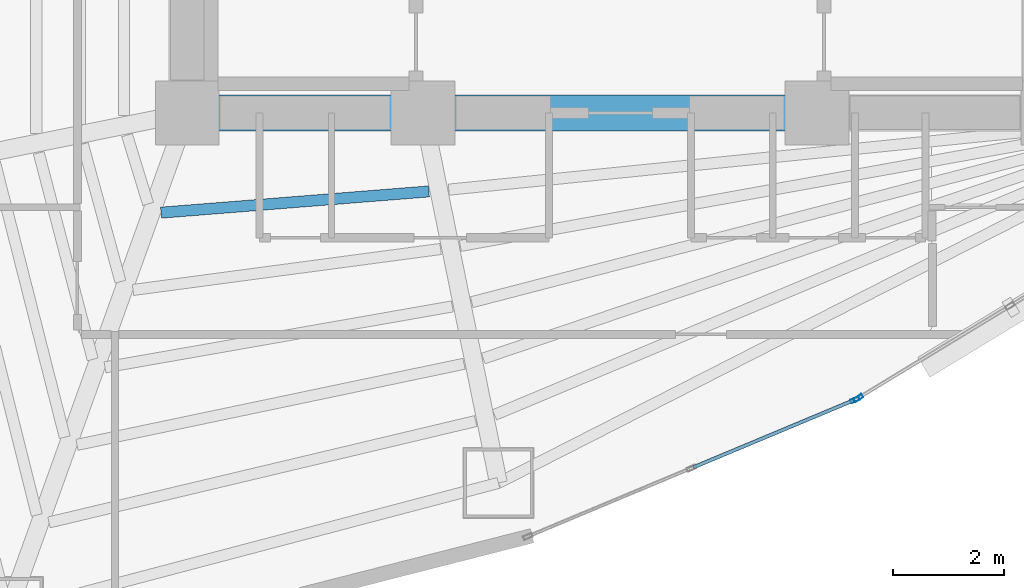
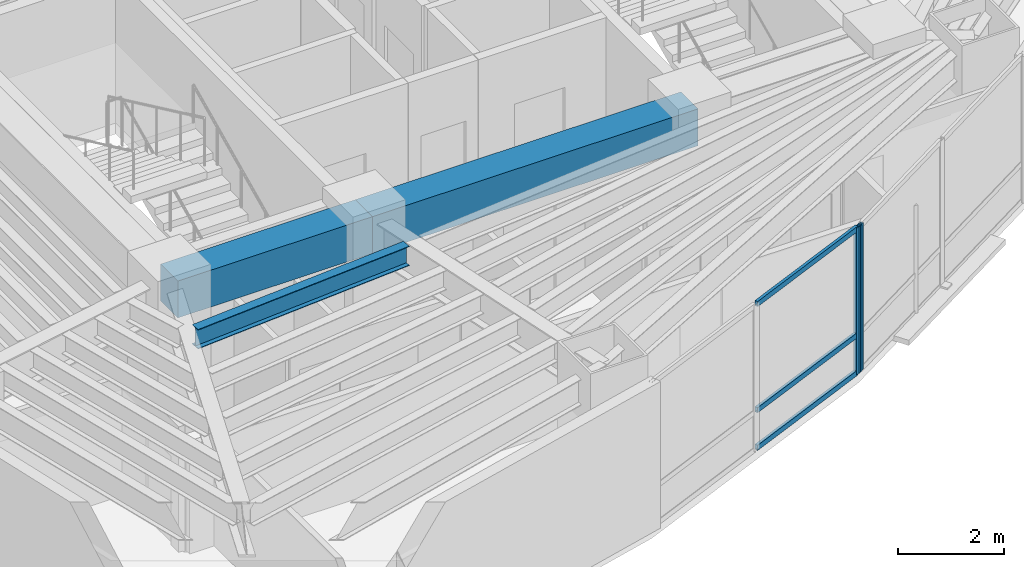
# One storey, part 4 of 16: 5 members, 3 beams, 2 elements without a shape of their own.
"""IFC4 building model written with IfcOpenShell, lengths in metres."""

from ifc_helpers import new_model, si_unit, direction, frame, origin, origin_2d, place, context, subcontext, project, spatial, rectangle, hollow_rectangle, i_section, extrude, material, layer, layer_set, material_profile, profile_set, type_object, element, aggregate, save


model = new_model("IFC4")

# Units and contexts
model_context = context("Model", 3, precision=1e-05, world=origin(), true_north=direction((0.0, 1.0)))
body_context = subcontext(model_context, "Body", "Model", "MODEL_VIEW")
ifc_project = project(units=[si_unit("LENGTHUNIT", "METRE"), si_unit("AREAUNIT", "SQUARE_METRE"), si_unit("VOLUMEUNIT", "CUBIC_METRE"), si_unit("PLANEANGLEUNIT", "RADIAN"), si_unit("MASSUNIT", "GRAM", prefix="KILO")], contexts=[model_context])

# Site, building, storey
site_placement = place(None, origin())
site = spatial("IfcSite", under=ifc_project, at=site_placement, CompositionType="ELEMENT")
building_placement = place(site_placement, origin())
building = spatial("IfcBuilding", under=site, at=building_placement, Name="Menara Vayukalpa", CompositionType="ELEMENT")
storey_placement = place(building_placement, frame((0.0, 0.0, 79.679931640625)))
storey = spatial("IfcBuildingStorey", under=building, at=storey_placement, Name="L19", CompositionType="ELEMENT", Elevation=79.679931640625)

# Beams
ifc_material_1 = material(Name="Concrete C60/75", Category="concrete")
ifc_material_profile_1 = material_profile(ifc_material_1, rectangle(XDim=0.64990234375, YDim=0.85009765625, at=origin_2d()), Name="RC 650x850")
ifc_profile_set_1 = profile_set([ifc_material_profile_1], Name="Concrete C60/75")
beam_type_1 = type_object("IfcBeamType", Name="BM-CB1", PredefinedType="BEAM", material=ifc_profile_set_1)
beam_1_placement = place(storey_placement, frame((17.800048828125, 17.199951171875, 2.955078125), z_axis=(1.0, 0.0, 0.0), x_axis=(0.0, 1.0, 0.0)))
element("IfcBeam", 1, at=beam_1_placement, inside=storey, type_object=beam_type_1, Name="L19 Core Tie Beam CBR1", PredefinedType="BEAM", context=body_context, shape_type="SweptSolid", body=[
    extrude(rectangle(XDim=0.64990234375, YDim=0.85009765625, at=origin_2d()), origin(), (0.0, 0.0, 1.0), 4.25),
])
beam_2_placement = place(storey_placement, frame((22.050048828125, 17.199951171875, 2.955078125), z_axis=(1.0, 0.0, 0.0), x_axis=(0.0, 1.0, 0.0)))
element("IfcBeam", 2, at=beam_2_placement, inside=storey, type_object=beam_type_1, Name="L19 Core Tie Beam CBR2", PredefinedType="BEAM", context=body_context, shape_type="SweptSolid", body=[
    extrude(rectangle(XDim=0.64990234375, YDim=0.85009765625, at=origin_2d()), origin(), (0.0, 0.0, 1.0), 7.099853515625),
])
ifc_material_2 = material(Name="Steel S355", Category="steel")
ifc_material_profile_2 = material_profile(ifc_material_2, i_section(OverallWidth=0.199951171875, OverallDepth=0.449951171875, WebThickness=0.009033203125, FlangeThickness=0.013916015625, at=origin_2d()), Name="WF 450x200x9x14")
ifc_profile_set_2 = profile_set([ifc_material_profile_2], Name="Steel S355")
beam_type_2 = type_object("IfcBeamType", Name="BM-SJ1", PredefinedType="JOIST", material=ifc_profile_set_2)
beam_3_placement = place(storey_placement, frame((17.32861328125, 15.40185546875, 3.155029296875), z_axis=(0.996870502758, 0.079051886326, 0.0), x_axis=(-0.079051886326, 0.996870502758, 0.0)))
element("IfcBeam", 3, at=beam_3_placement, inside=storey, type_object=beam_type_2, Name="L19 Secondary Floor Joist SJ07-1", PredefinedType="JOIST", context=body_context, shape_type="SweptSolid", body=[
    extrude(i_section(OverallWidth=0.199951171875, OverallDepth=0.449951171875, WebThickness=0.009033203125, FlangeThickness=0.013916015625, at=origin_2d()), origin(), (0.0, 0.0, 1.0), 4.842529296875),
])

# Curtain wall, member
ifc_material_3 = material(Name="Anodised Terracotta Aluminium Alloy 6063-T6", Category="masonry")
ifc_layer = layer(ifc_material_3, 0.1650390625)
ifc_layer_set = layer_set([ifc_layer], Name="Anodised Terracotta Aluminium Alloy 6063-T6")
curtain_wall_type = type_object("IfcCurtainWallType", Name="CW-CW2", PredefinedType="USERDEFINED", material=ifc_layer_set)
curtain_wall_1_placement = place(storey_placement, origin())
curtain_wall_1 = element("IfcCurtainWall", 4, at=curtain_wall_1_placement, inside=storey, type_object=curtain_wall_type, Name="L19 Low Rise Terracotta Ribbon Curtain Wall CW2 16", ObjectType="UNITISED", PredefinedType="USERDEFINED")
ifc_material_4 = material(Name="Anodised Terracotta Aluminium Alloy 6063-T6", Category="masonry")
ifc_material_profile_3 = material_profile(ifc_material_4, hollow_rectangle(XDim=0.070068359375, YDim=0.1650390625, WallThickness=0.00390625, at=origin_2d()), Name="ALU 70x165x4")
ifc_profile_set_3 = profile_set([ifc_material_profile_3], Name="Anodised Terracotta Aluminium Alloy 6063-T6")
member_type_1 = type_object("IfcMemberType", Name="CWM-CW2", PredefinedType="MULLION", material=ifc_profile_set_3)
member_1_placement = place(storey_placement, frame((29.83349609375, 12.03125, 0.0), z_axis=(0.0, 0.0, 1.0), x_axis=(-0.38589358437, 0.922543300632, 0.0)))
member_1 = element("IfcMember", 5, at=member_1_placement, type_object=member_type_1, Name="CW2 mullion 3", PredefinedType="MULLION", context=body_context, shape_type="SweptSolid", body=[
    extrude(hollow_rectangle(XDim=0.070068359375, YDim=0.1650390625, WallThickness=0.00390625, at=origin_2d()), origin(), (0.0, 0.0, 1.0), 3.380126953125),
])

curtain_wall_2_placement = place(storey_placement, origin())
curtain_wall_2 = element("IfcCurtainWall", 6, at=curtain_wall_2_placement, inside=storey, type_object=curtain_wall_type, Name="L19 Low Rise Terracotta Ribbon Curtain Wall CW2 17", ObjectType="UNITISED", PredefinedType="USERDEFINED")
member_2_placement = place(storey_placement, frame((29.895751953125, 12.06298828125, 0.0), z_axis=(0.0, 0.0, 1.0), x_axis=(-0.519182959112, 0.854663123674, 0.0)))
member_2 = element("IfcMember", 7, at=member_2_placement, type_object=member_type_1, Name="CW2 mullion 1", PredefinedType="MULLION", context=body_context, shape_type="SweptSolid", body=[
    extrude(hollow_rectangle(XDim=0.070068359375, YDim=0.1650390625, WallThickness=0.00390625, at=origin_2d()), origin(), (0.0, 0.0, 1.0), 3.380126953125),
])
aggregate(curtain_wall_2, [member_2])

# Member
ifc_material_5 = material(Name="Anodised Terracotta Aluminium Alloy 6063-T6", Category="masonry")
ifc_material_profile_4 = material_profile(ifc_material_5, hollow_rectangle(XDim=0.06494140625, YDim=0.1201171875, WallThickness=0.00341796875, at=origin_2d()), Name="ALU 65x120x3.5")
ifc_profile_set_4 = profile_set([ifc_material_profile_4], Name="Anodised Terracotta Aluminium Alloy 6063-T6")
member_type_2 = type_object("IfcMemberType", Name="CWT-CW2", PredefinedType="USERDEFINED", material=ifc_profile_set_4)
member_3_placement = place(storey_placement, frame((26.9189453125, 10.81201171875, 0.032470703125), z_axis=(0.922525759021, 0.385935517856, 0.0), x_axis=(-0.385935517856, 0.922525759021, 0.0)))
member_3 = element("IfcMember", 8, at=member_3_placement, type_object=member_type_2, Name="CW2 transom 2.1", ObjectType="TRANSOM", PredefinedType="USERDEFINED", context=body_context, shape_type="SweptSolid", body=[
    extrude(hollow_rectangle(XDim=0.06494140625, YDim=0.1201171875, WallThickness=0.00341796875, at=origin_2d()), origin(), (0.0, 0.0, 1.0), 3.124267578125),
])

member_4_placement = place(storey_placement, frame((26.9189453125, 10.81201171875, 0.900146484375), z_axis=(0.922525759021, 0.385935517856, 0.0), x_axis=(-0.385935517856, 0.922525759021, 0.0)))
member_4 = element("IfcMember", 9, at=member_4_placement, type_object=member_type_2, Name="CW2 transom 2.2", ObjectType="TRANSOM", PredefinedType="USERDEFINED", context=body_context, shape_type="SweptSolid", body=[
    extrude(hollow_rectangle(XDim=0.06494140625, YDim=0.1201171875, WallThickness=0.00341796875, at=origin_2d()), origin(), (0.0, 0.0, 1.0), 3.124267578125),
])

member_5_placement = place(storey_placement, frame((26.9189453125, 10.81201171875, 3.34765625), z_axis=(0.922525759021, 0.385935517856, 0.0), x_axis=(-0.385935517856, 0.922525759021, 0.0)))
member_5 = element("IfcMember", 10, at=member_5_placement, type_object=member_type_2, Name="CW2 transom 2.3", ObjectType="TRANSOM", PredefinedType="USERDEFINED", context=body_context, shape_type="SweptSolid", body=[
    extrude(hollow_rectangle(XDim=0.06494140625, YDim=0.1201171875, WallThickness=0.00341796875, at=origin_2d()), origin(), (0.0, 0.0, 1.0), 3.124267578125),
])

aggregate(curtain_wall_1, [member_1, member_3, member_4, member_5])

save(model, "model.ifc")
